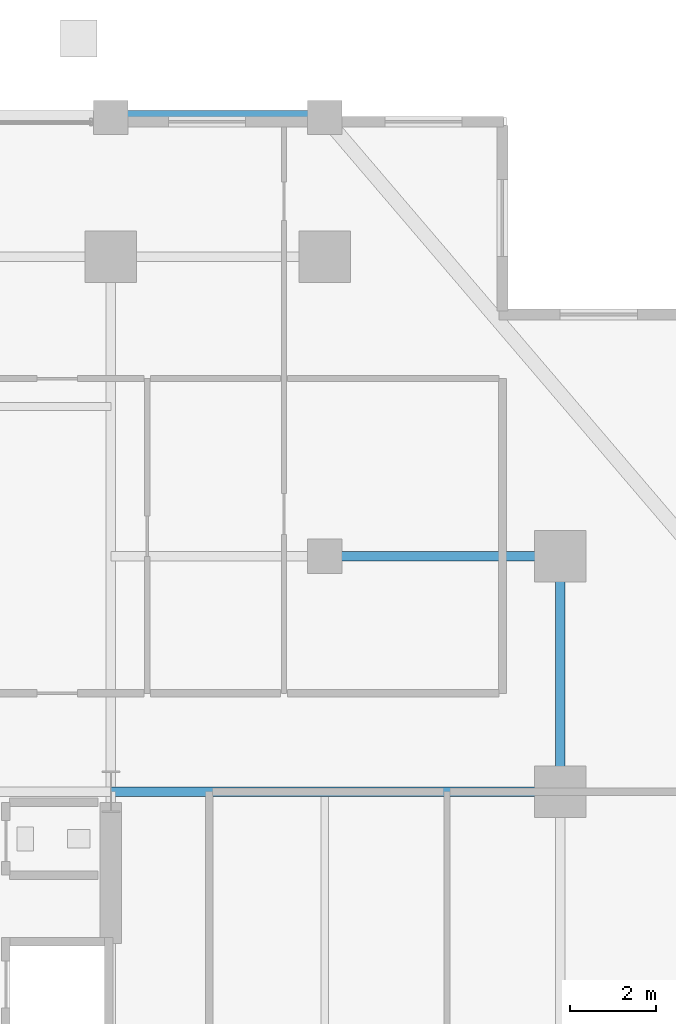
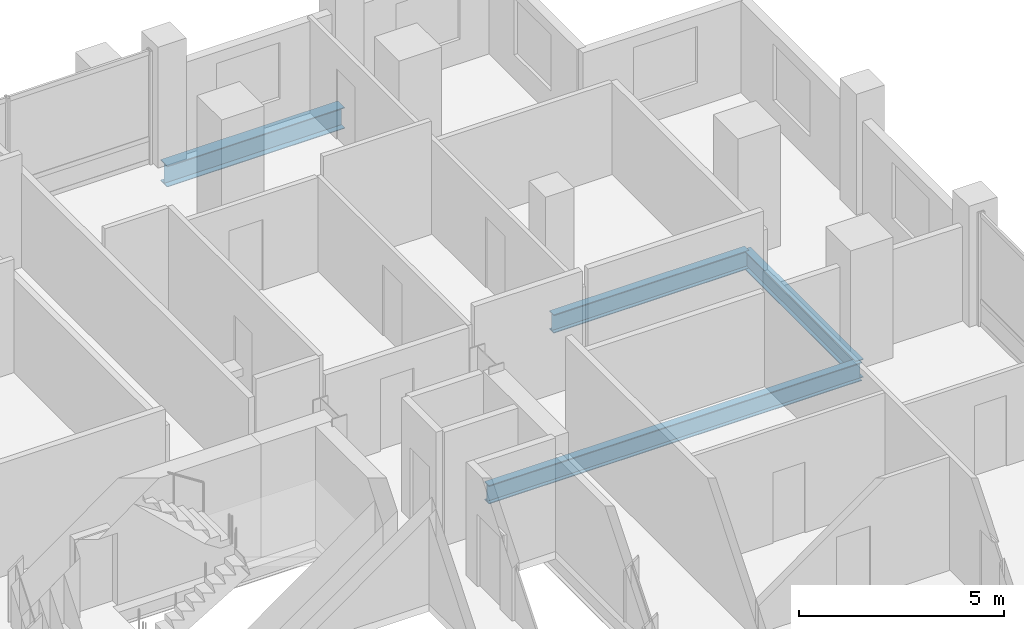
# One storey, part 11 of 20: 4 beams.
"""IFC4 building model written with IfcOpenShell, lengths in metres."""

import ifcopenshell
import ifcopenshell.guid

model = None  # the IFC model being written
_history = None  # IfcOwnerHistory: only IFC2X3 demands one
_inside = {}  # id of a spatial element -> (the spatial element, [elements in it])
_under = {}  # id of a project, library or spatial element -> (it, [spatial elements below it])
_declared = {}  # id of a project -> (the project, [libraries it declares])
_typed = {}  # id of a type object -> (the type object, [elements of that type])
_made_of = {}  # id of a material, layer set ... -> (it, [elements and type objects made of it])


def new_model(schema):
    """Start an empty IFC model of exactly this schema.

    Asked for "IFC4X3", IfcOpenShell would pick the latest addendum, in which some entities
    have other attributes; the version numbers below select the first issue.
    IFC2X3 requires an IfcOwnerHistory on every rooted entity: one is made here for all.
    """
    global model, _history
    if schema == "IFC4X3":
        model = ifcopenshell.file(schema_version=(4, 3, 0, 0))
    else:
        model = ifcopenshell.file(schema=schema)
    _inside.clear()
    _under.clear()
    _declared.clear()
    _typed.clear()
    _made_of.clear()
    _history = None
    if model.schema == "IFC2X3":
        org = make("IfcOrganization", Name="unknown")
        user = make(
            "IfcPersonAndOrganization",
            ThePerson=make("IfcPerson", FamilyName="unknown"),
            TheOrganization=org,
        )
        app = make(
            "IfcApplication",
            ApplicationDeveloper=org,
            Version="unknown",
            ApplicationFullName="unknown",
            ApplicationIdentifier="unknown",
        )
        _history = make(
            "IfcOwnerHistory",
            OwningUser=user,
            OwningApplication=app,
            ChangeAction="ADDED",
            CreationDate=0,
        )
    return model


def make(cls, **values):
    """One entity of the class cls with the attributes given. An attribute that is None is left unset."""
    return model.create_entity(
        cls, **{name: value for name, value in values.items() if value is not None}
    )


def rooted(cls, **values):
    """An entity with a GlobalId (a new one), such as an element, a storey or a relation."""
    return make(cls, GlobalId=ifcopenshell.guid.new(), OwnerHistory=_history, **values)


def si_unit(unit_type, name, prefix=None):
    """IfcSIUnit, for example si_unit("LENGTHUNIT", "METRE", prefix="MILLI")."""
    return make("IfcSIUnit", UnitType=unit_type, Prefix=prefix, Name=name)


def assignment(units):
    """IfcUnitAssignment: the units of a project."""
    return None if units is None else make("IfcUnitAssignment", Units=units)


def point(xyz):
    """IfcCartesianPoint."""
    return None if xyz is None else make("IfcCartesianPoint", Coordinates=xyz)


def direction(xyz):
    """IfcDirection."""
    return None if xyz is None else make("IfcDirection", DirectionRatios=xyz)


def frame(location, z_axis=None, x_axis=None):
    """IfcAxis2Placement3D, a coordinate frame: its origin and axes. An axis left out is left unset."""
    return make(
        "IfcAxis2Placement3D",
        Location=point(location),
        Axis=direction(z_axis),
        RefDirection=direction(x_axis),
    )


def frame_2d(location, x_axis=None):
    """IfcAxis2Placement2D, a coordinate frame in the plane: its origin and x axis."""
    return make(
        "IfcAxis2Placement2D", Location=point(location), RefDirection=direction(x_axis)
    )


def origin():
    """The frame at (0, 0, 0) with its axes left unset."""
    return frame((0.0, 0.0, 0.0))


def origin_2d():
    """The frame at (0, 0) in the plane with its x axis left unset."""
    return frame_2d((0.0, 0.0))


def place(relative_to, where):
    """IfcLocalPlacement: puts the frame where relative to a parent placement (None: the world)."""
    return make(
        "IfcLocalPlacement", PlacementRelTo=relative_to, RelativePlacement=where
    )


def context(
    kind, dimensions, precision=None, world=None, true_north=None, identifier=None
):
    """IfcGeometricRepresentationContext, for example the 3D "Model" context."""
    return make(
        "IfcGeometricRepresentationContext",
        ContextIdentifier=identifier,
        ContextType=kind,
        CoordinateSpaceDimension=dimensions,
        Precision=precision,
        WorldCoordinateSystem=world,
        TrueNorth=true_north,
    )


def subcontext(parent, identifier, kind, view, scale=None):
    """IfcGeometricRepresentationSubContext, for example "Body" below "Model"."""
    return make(
        "IfcGeometricRepresentationSubContext",
        ContextIdentifier=identifier,
        ContextType=kind,
        ParentContext=parent,
        TargetScale=scale,
        TargetView=view,
    )


def project(units=None, contexts=None):
    """IfcProject with its units and contexts."""
    return rooted(
        "IfcProject",
        Name="project",
        RepresentationContexts=contexts,
        UnitsInContext=assignment(units),
    )


def spatial(cls, under=None, at=None, **own):
    """A site, building, storey or space (cls), placed at a placement, below another one or the project."""
    s = rooted(cls, ObjectPlacement=at, **own)
    if under is not None:
        _under.setdefault(under.id(), (under, []))[1].append(s)
    return s


def profile(cls, at=None, kind="AREA", **sizes):
    """A parametric profile (cls). Its sizes go by their IFC names, for example OverallWidth=200.0."""
    return make(cls, ProfileType=kind, Position=at, **sizes)


def i_section(**sizes):
    """IfcIShapeProfileDef."""
    return profile("IfcIShapeProfileDef", **sizes)


def extrude(swept, where, along, depth):
    """IfcExtrudedAreaSolid: the profile swept, set in the frame where, extruded along a direction by depth."""
    return make(
        "IfcExtrudedAreaSolid",
        SweptArea=swept,
        Position=where,
        ExtrudedDirection=direction(along),
        Depth=depth,
    )


def shape(context_of_items, identifier, shape_type, items):
    """IfcShapeRepresentation: the items that make up one representation, for example the "Body"."""
    return make(
        "IfcShapeRepresentation",
        ContextOfItems=context_of_items,
        RepresentationIdentifier=identifier,
        RepresentationType=shape_type,
        Items=items,
    )


def material(Name=None, Category=None):
    """IfcMaterial."""
    return make("IfcMaterial", Name=Name, Category=Category)


def material_profile(
    of_material, cross_section, Name=None, Category=None, Priority=None
):
    """IfcMaterialProfile: a cross section and its material."""
    return make(
        "IfcMaterialProfile",
        Name=Name,
        Material=of_material,
        Profile=cross_section,
        Priority=Priority,
        Category=Category,
    )


def profile_set(profiles, Name=None, composite=None):
    """IfcMaterialProfileSet."""
    return make(
        "IfcMaterialProfileSet",
        Name=Name,
        MaterialProfiles=profiles,
        CompositeProfile=composite,
    )


def made_of(thing, what):
    """Note that an element or type object is made of a material, layer set ...; save() writes the relation."""
    if what is not None:
        _made_of.setdefault(what.id(), (what, []))[1].append(thing)
    return thing


def type_object(cls, material=None, **own):
    """A type object (cls), such as IfcWallType, which elements share."""
    return made_of(rooted(cls, **own), material)


def element(
    cls,
    number,
    at=None,
    inside=None,
    cuts=None,
    type_object=None,
    material=None,
    context=None,
    identifier="Body",
    shape_type=None,
    held_by="IfcProductDefinitionShape",
    body=None,
    shapes=None,
    **own,
):
    """One element of the class cls, such as IfcWall. Its Tag is "e" and its number.

    at: its placement. inside: the storey or other place that contains it. cuts: it is an
    opening in that element (IfcRelVoidsElement). A single representation is given by context,
    identifier, shape_type and body (its items); several are given by shapes. held_by: the class
    of the entity that holds the representations. save() writes the other relations.
    """
    e = rooted(cls, Tag="e%d" % number, ObjectPlacement=at, **own)
    if body is not None:
        shapes = [shape(context, identifier, shape_type, body)]
    if shapes is not None:
        e.Representation = make(held_by, Representations=shapes)
    if inside is not None:
        _inside.setdefault(inside.id(), (inside, []))[1].append(e)
    if cuts is not None:
        rooted(
            "IfcRelVoidsElement", RelatingBuildingElement=cuts, RelatedOpeningElement=e
        )
    if type_object is not None:
        _typed.setdefault(type_object.id(), (type_object, []))[1].append(e)
    return made_of(e, material)


def aggregate(whole, parts):
    """IfcRelAggregates: a whole, such as a stair, and the parts it consists of."""
    return rooted("IfcRelAggregates", RelatingObject=whole, RelatedObjects=parts)


def save(model, path):
    """Write the relations noted so far, then the file.

    IfcRelAggregates (storeys below a building ...), IfcRelContainedInSpatialStructure (elements
    in a storey), IfcRelDefinesByType, IfcRelAssociatesMaterial and IfcRelDeclares: one each for
    every whole, place, type object, material and project.
    """
    for whole, parts in _under.values():
        aggregate(whole, parts)
    for where, things in _inside.values():
        rooted(
            "IfcRelContainedInSpatialStructure",
            RelatedElements=things,
            RelatingStructure=where,
        )
    for kind, things in _typed.values():
        rooted("IfcRelDefinesByType", RelatedObjects=things, RelatingType=kind)
    for what, things in _made_of.values():
        rooted("IfcRelAssociatesMaterial", RelatedObjects=things, RelatingMaterial=what)
    for by, libraries in _declared.values():
        rooted("IfcRelDeclares", RelatingContext=by, RelatedDefinitions=libraries)
    model.write(path)


model = new_model("IFC4")

# Units and contexts
model_context = context("Model", 3, precision=1e-05, world=origin(), true_north=direction((0.0, 1.0)))
body_context = subcontext(model_context, "Body", "Model", "MODEL_VIEW")
ifc_project = project(units=[si_unit("LENGTHUNIT", "METRE"), si_unit("AREAUNIT", "SQUARE_METRE"), si_unit("VOLUMEUNIT", "CUBIC_METRE"), si_unit("PLANEANGLEUNIT", "RADIAN"), si_unit("MASSUNIT", "GRAM", prefix="KILO")], contexts=[model_context])

# Site, building, storey
site_placement = place(None, origin())
site = spatial("IfcSite", under=ifc_project, at=site_placement, CompositionType="ELEMENT")
building_placement = place(site_placement, origin())
building = spatial("IfcBuilding", under=site, at=building_placement, Name="Barlavira Tower and Art Museum", CompositionType="ELEMENT")
storey_placement = place(building_placement, frame((0.0, 0.0, 147.60009765625)))
storey = spatial("IfcBuildingStorey", under=building, at=storey_placement, Name="L37", CompositionType="ELEMENT", Elevation=147.60009765625)

# Beams
ifc_material = material(Name="Steel S355", Category="steel")
ifc_material_profile_1 = material_profile(ifc_material, i_section(OverallWidth=0.327880859375, OverallDepth=0.62890625, WebThickness=0.013916015625, FlangeThickness=0.021484375, at=origin_2d()), Name="W610x174.0")
ifc_profile_set_1 = profile_set([ifc_material_profile_1], Name="Steel S355")
beam_type_1 = type_object("IfcBeamType", Name="Perimeter Spandrel Edge Beam W610x174 Steel S355", PredefinedType="SPANDREL", material=ifc_profile_set_1)
beam_1_placement = place(storey_placement, frame((6.5, 23.25, -0.53466796875), z_axis=(1.0, 0.0, 0.0), x_axis=(0.0, 1.0, 0.0)))
element("IfcBeam", 1, at=beam_1_placement, inside=storey, type_object=beam_type_1, Name="L37 Spandrel 9", PredefinedType="SPANDREL", context=body_context, shape_type="SweptSolid", body=[
    extrude(i_section(OverallWidth=0.327880859375, OverallDepth=0.62890625, WebThickness=0.013916015625, FlangeThickness=0.021484375, at=origin_2d()), origin(), (0.0, 0.0, 1.0), 5.0),
])
ifc_material_profile_2 = material_profile(ifc_material, i_section(OverallWidth=0.214111328125, OverallDepth=0.549072265625, WebThickness=0.0146484375, FlangeThickness=0.023681640625, at=origin_2d()), Name="W530x138.0")
ifc_profile_set_2 = profile_set([ifc_material_profile_2], Name="Steel S355")
beam_type_2 = type_object("IfcBeamType", Name="Zone 1 Primary Floor Girder W530x138 Steel S355", PredefinedType="BEAM", material=ifc_profile_set_2)
beam_2_placement = place(storey_placement, frame((17.0, 7.5, -0.49462890625), z_axis=(0.0, 1.0, 0.0), x_axis=(-1.0, 0.0, 0.0)))
element("IfcBeam", 2, at=beam_2_placement, inside=storey, type_object=beam_type_2, Name="L37 Girder M-E3", PredefinedType="BEAM", context=body_context, shape_type="SweptSolid", body=[
    extrude(i_section(OverallWidth=0.214111328125, OverallDepth=0.549072265625, WebThickness=0.0146484375, FlangeThickness=0.023681640625, at=origin_2d()), origin(), (0.0, 0.0, 1.0), 5.5),
])
beam_3_placement = place(storey_placement, frame((6.5, 7.5, -0.49462890625), z_axis=(1.0, 0.0, 0.0), x_axis=(0.0, 1.0, 0.0)))
element("IfcBeam", 3, at=beam_3_placement, inside=storey, type_object=beam_type_2, Name="L37 Girder R-E2", PredefinedType="BEAM", context=body_context, shape_type="SweptSolid", body=[
    extrude(i_section(OverallWidth=0.214111328125, OverallDepth=0.549072265625, WebThickness=0.0146484375, FlangeThickness=0.023681640625, at=origin_2d()), origin(), (0.0, 0.0, 1.0), 10.5),
])
beam_4_placement = place(storey_placement, frame((11.5, 13.0, -0.49462890625), z_axis=(1.0, 0.0, 0.0), x_axis=(0.0, 1.0, 0.0)))
element("IfcBeam", 4, at=beam_4_placement, inside=storey, type_object=beam_type_2, Name="L37 Girder I-N4", PredefinedType="BEAM", context=body_context, shape_type="SweptSolid", body=[
    extrude(i_section(OverallWidth=0.214111328125, OverallDepth=0.549072265625, WebThickness=0.0146484375, FlangeThickness=0.023681640625, at=origin_2d()), origin(), (0.0, 0.0, 1.0), 5.5),
])

save(model, "model.ifc")
